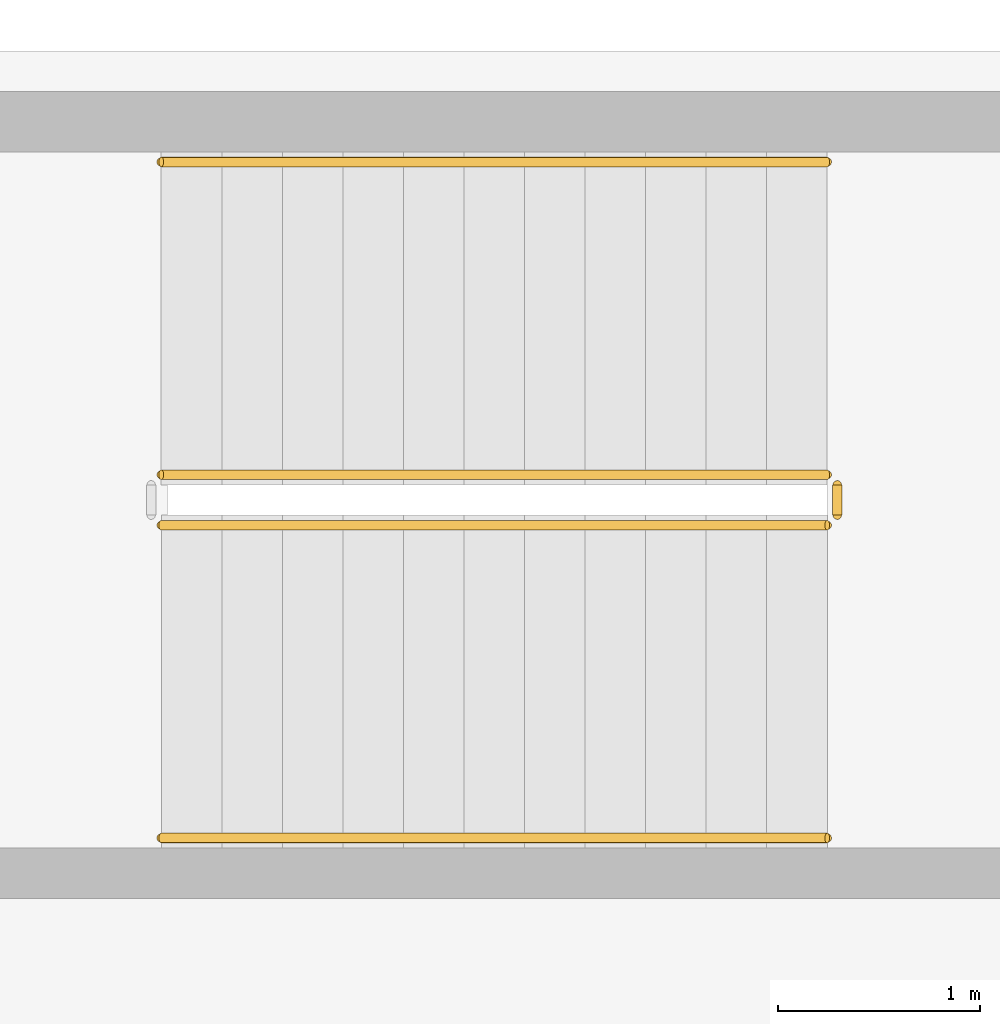
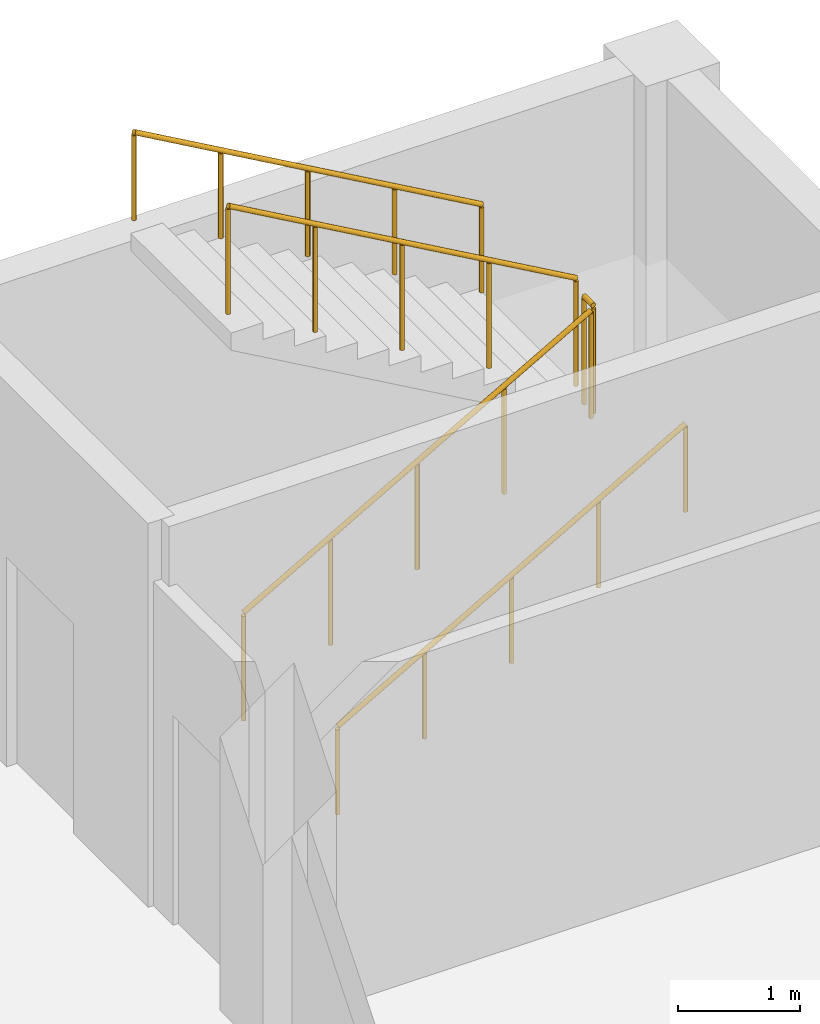
# One storey, part 36 of 36: 5 railings.
"""IFC4 building model written with IfcOpenShell, lengths in metres."""

from ifc_helpers import new_model, si_unit, direction, frame, origin, origin_2d, place, context, subcontext, project, spatial, circle, extrude, material, type_object, element, save


model = new_model("IFC4")

# Units and contexts
model_context = context("Model", 3, precision=1e-05, world=origin(), true_north=direction((0.0, 1.0)))
body_context = subcontext(model_context, "Body", "Model", "MODEL_VIEW")
ifc_project = project(units=[si_unit("LENGTHUNIT", "METRE"), si_unit("AREAUNIT", "SQUARE_METRE"), si_unit("VOLUMEUNIT", "CUBIC_METRE"), si_unit("PLANEANGLEUNIT", "RADIAN"), si_unit("MASSUNIT", "GRAM", prefix="KILO")], contexts=[model_context])

# Site, building, storey
site_placement = place(None, origin())
site = spatial("IfcSite", under=ifc_project, at=site_placement, CompositionType="ELEMENT")
building_placement = place(site_placement, origin())
building = spatial("IfcBuilding", under=site, at=building_placement, Name="Corbel Stack Research Tower", CompositionType="ELEMENT")
storey_placement = place(building_placement, frame((0.0, 0.0, 7.199951171875)))
storey = spatial("IfcBuildingStorey", under=building, at=storey_placement, Name="L01", CompositionType="ELEMENT", Elevation=7.199951171875)

# Railings
ifc_material_1 = material(Name="Steel S235", Category="steel")
railing_type_1 = type_object("IfcRailingType", Name="HR1 guard 1100", PredefinedType="GUARDRAIL", material=ifc_material_1)
railing_1_placement = place(storey_placement, frame((95.47509765625, 21.64990234375, 0.1708984375)))
element("IfcRailing", 1, at=railing_1_placement, inside=storey, type_object=railing_type_1, Name="L01 HS2 stair guard 1", PredefinedType="GUARDRAIL", context=body_context, shape_type="SweptSolid", body=[
    extrude(circle(Radius=0.02392578125, at=origin_2d()), frame((0.0, 0.0, 1.076171875), z_axis=(0.868974139896, 0.0, 0.494857498874), x_axis=(0.0, 1.0, 0.0)), (0.0, 0.0, 1.0), 3.79736328125),
    extrude(circle(Radius=0.02099609375, at=origin_2d()), origin(), (0.0, 0.0, 1.0), 1.052001953125),
    extrude(circle(Radius=0.02099609375, at=origin_2d()), frame((0.824951171875, 0.0, 0.4697265625)), (0.0, 0.0, 1.0), 1.052001953125),
    extrude(circle(Radius=0.02099609375, at=origin_2d()), frame((1.64990234375, 0.0, 0.939453125)), (0.0, 0.0, 1.0), 1.052001953125),
    extrude(circle(Radius=0.02099609375, at=origin_2d()), frame((2.474853515625, 0.0, 1.409423828125)), (0.0, 0.0, 1.0), 1.052001953125),
    extrude(circle(Radius=0.02099609375, at=origin_2d()), frame((3.2998046875, 0.0, 1.879150390625)), (0.0, 0.0, 1.0), 1.052001953125),
])
railing_2_placement = place(storey_placement, frame((98.824951171875, 21.699951171875, 2.050048828125)))
element("IfcRailing", 2, at=railing_2_placement, inside=storey, type_object=railing_type_1, Name="L01 HS2 stair guard 2", PredefinedType="GUARDRAIL", context=body_context, shape_type="SweptSolid", body=[
    extrude(circle(Radius=0.02392578125, at=origin_2d()), frame((0.0, 0.0, 1.076171875), z_axis=(0.0, 1.0, 0.0), x_axis=(-1.0, 0.0, 0.0)), (0.0, 0.0, 1.0), 0.150146484375),
    extrude(circle(Radius=0.02099609375, at=origin_2d()), origin(), (0.0, 0.0, 1.0), 1.052001953125),
    extrude(circle(Radius=0.02099609375, at=origin_2d()), frame((0.0, 0.150146484375, 0.0)), (0.0, 0.0, 1.0), 1.052001953125),
])
railing_3_placement = place(storey_placement, frame((98.77490234375, 21.89990234375, 2.220947265625)))
element("IfcRailing", 3, at=railing_3_placement, inside=storey, type_object=railing_type_1, Name="L01 HS2 stair guard 3", PredefinedType="GUARDRAIL", context=body_context, shape_type="SweptSolid", body=[
    extrude(circle(Radius=0.02392578125, at=origin_2d()), frame((0.0, 0.0, 1.076171875), z_axis=(-0.868974139896, 0.0, 0.494857498874), x_axis=(0.0, -1.0, 0.0)), (0.0, 0.0, 1.0), 3.79736328125),
    extrude(circle(Radius=0.02099609375, at=origin_2d()), origin(), (0.0, 0.0, 1.0), 1.052001953125),
    extrude(circle(Radius=0.02099609375, at=origin_2d()), frame((-0.824951171875, 0.0, 0.4697265625)), (0.0, 0.0, 1.0), 1.052001953125),
    extrude(circle(Radius=0.02099609375, at=origin_2d()), frame((-1.64990234375, 0.0, 0.939453125)), (0.0, 0.0, 1.0), 1.052001953125),
    extrude(circle(Radius=0.02099609375, at=origin_2d()), frame((-2.474853515625, 0.0, 1.409423828125)), (0.0, 0.0, 1.0), 1.052001953125),
    extrude(circle(Radius=0.02099609375, at=origin_2d()), frame((-3.2998046875, 0.0, 1.879150390625)), (0.0, 0.0, 1.0), 1.052001953125),
])
ifc_material_2 = material(Name="Steel S235", Category="steel")
railing_type_2 = type_object("IfcRailingType", Name="HR2 handrail 900", PredefinedType="HANDRAIL", material=ifc_material_2)
railing_4_placement = place(storey_placement, frame((95.47509765625, 20.10009765625, 0.1708984375)))
element("IfcRailing", 4, at=railing_4_placement, inside=storey, type_object=railing_type_2, Name="L01 HS2 stair handrail 1", PredefinedType="HANDRAIL", context=body_context, shape_type="SweptSolid", body=[
    extrude(circle(Radius=0.02392578125, at=origin_2d()), frame((0.0, 0.0, 0.8759765625), z_axis=(0.868974139896, 0.0, 0.494857498874), x_axis=(0.0, 1.0, 0.0)), (0.0, 0.0, 1.0), 3.79736328125),
    extrude(circle(Radius=0.02099609375, at=origin_2d()), origin(), (0.0, 0.0, 1.0), 0.851806640625),
    extrude(circle(Radius=0.02099609375, at=origin_2d()), frame((0.824951171875, 0.0, 0.4697265625)), (0.0, 0.0, 1.0), 0.851806640625),
    extrude(circle(Radius=0.02099609375, at=origin_2d()), frame((1.64990234375, 0.0, 0.939453125)), (0.0, 0.0, 1.0), 0.851806640625),
    extrude(circle(Radius=0.02099609375, at=origin_2d()), frame((2.474853515625, 0.0, 1.409423828125)), (0.0, 0.0, 1.0), 0.851806640625),
    extrude(circle(Radius=0.02099609375, at=origin_2d()), frame((3.2998046875, 0.0, 1.879150390625)), (0.0, 0.0, 1.0), 0.851806640625),
])
railing_5_placement = place(storey_placement, frame((98.77490234375, 23.449951171875, 2.220947265625)))
element("IfcRailing", 5, at=railing_5_placement, inside=storey, type_object=railing_type_2, Name="L01 HS2 stair handrail 2", PredefinedType="HANDRAIL", context=body_context, shape_type="SweptSolid", body=[
    extrude(circle(Radius=0.02392578125, at=origin_2d()), frame((0.0, 0.0, 0.8759765625), z_axis=(-0.868974139896, 0.0, 0.494857498874), x_axis=(0.0, -1.0, 0.0)), (0.0, 0.0, 1.0), 3.79736328125),
    extrude(circle(Radius=0.02099609375, at=origin_2d()), origin(), (0.0, 0.0, 1.0), 0.851806640625),
    extrude(circle(Radius=0.02099609375, at=origin_2d()), frame((-0.824951171875, 0.0, 0.4697265625)), (0.0, 0.0, 1.0), 0.851806640625),
    extrude(circle(Radius=0.02099609375, at=origin_2d()), frame((-1.64990234375, 0.0, 0.939453125)), (0.0, 0.0, 1.0), 0.851806640625),
    extrude(circle(Radius=0.02099609375, at=origin_2d()), frame((-2.474853515625, 0.0, 1.409423828125)), (0.0, 0.0, 1.0), 0.851806640625),
    extrude(circle(Radius=0.02099609375, at=origin_2d()), frame((-3.2998046875, 0.0, 1.879150390625)), (0.0, 0.0, 1.0), 0.851806640625),
])

save(model, "model.ifc")
